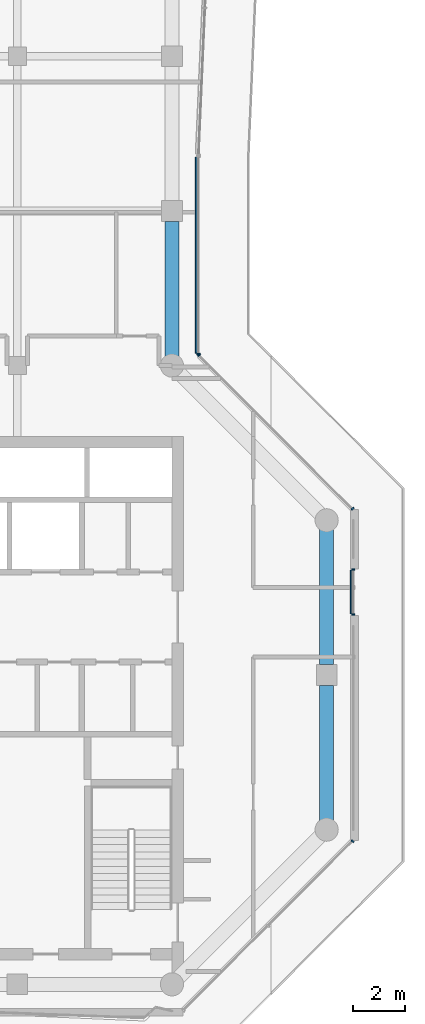
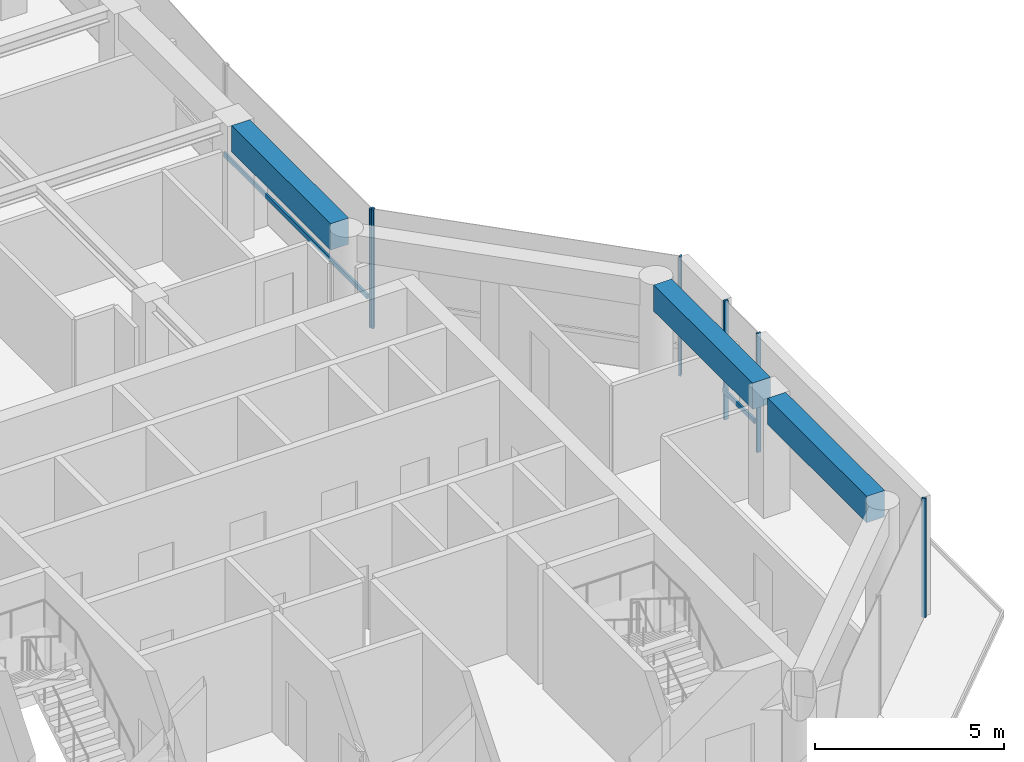
# One storey, part 6 of 20: 8 members, 3 beams, 4 elements without a shape of their own.
"""IFC4 building model written with IfcOpenShell, lengths in metres."""

import ifcopenshell
import ifcopenshell.guid

model = None  # the IFC model being written
_history = None  # IfcOwnerHistory: only IFC2X3 demands one
_inside = {}  # id of a spatial element -> (the spatial element, [elements in it])
_under = {}  # id of a project, library or spatial element -> (it, [spatial elements below it])
_declared = {}  # id of a project -> (the project, [libraries it declares])
_typed = {}  # id of a type object -> (the type object, [elements of that type])
_made_of = {}  # id of a material, layer set ... -> (it, [elements and type objects made of it])


def new_model(schema):
    """Start an empty IFC model of exactly this schema.

    Asked for "IFC4X3", IfcOpenShell would pick the latest addendum, in which some entities
    have other attributes; the version numbers below select the first issue.
    IFC2X3 requires an IfcOwnerHistory on every rooted entity: one is made here for all.
    """
    global model, _history
    if schema == "IFC4X3":
        model = ifcopenshell.file(schema_version=(4, 3, 0, 0))
    else:
        model = ifcopenshell.file(schema=schema)
    _inside.clear()
    _under.clear()
    _declared.clear()
    _typed.clear()
    _made_of.clear()
    _history = None
    if model.schema == "IFC2X3":
        org = make("IfcOrganization", Name="unknown")
        user = make(
            "IfcPersonAndOrganization",
            ThePerson=make("IfcPerson", FamilyName="unknown"),
            TheOrganization=org,
        )
        app = make(
            "IfcApplication",
            ApplicationDeveloper=org,
            Version="unknown",
            ApplicationFullName="unknown",
            ApplicationIdentifier="unknown",
        )
        _history = make(
            "IfcOwnerHistory",
            OwningUser=user,
            OwningApplication=app,
            ChangeAction="ADDED",
            CreationDate=0,
        )
    return model


def make(cls, **values):
    """One entity of the class cls with the attributes given. An attribute that is None is left unset."""
    return model.create_entity(
        cls, **{name: value for name, value in values.items() if value is not None}
    )


def rooted(cls, **values):
    """An entity with a GlobalId (a new one), such as an element, a storey or a relation."""
    return make(cls, GlobalId=ifcopenshell.guid.new(), OwnerHistory=_history, **values)


def si_unit(unit_type, name, prefix=None):
    """IfcSIUnit, for example si_unit("LENGTHUNIT", "METRE", prefix="MILLI")."""
    return make("IfcSIUnit", UnitType=unit_type, Prefix=prefix, Name=name)


def assignment(units):
    """IfcUnitAssignment: the units of a project."""
    return None if units is None else make("IfcUnitAssignment", Units=units)


def point(xyz):
    """IfcCartesianPoint."""
    return None if xyz is None else make("IfcCartesianPoint", Coordinates=xyz)


def direction(xyz):
    """IfcDirection."""
    return None if xyz is None else make("IfcDirection", DirectionRatios=xyz)


def frame(location, z_axis=None, x_axis=None):
    """IfcAxis2Placement3D, a coordinate frame: its origin and axes. An axis left out is left unset."""
    return make(
        "IfcAxis2Placement3D",
        Location=point(location),
        Axis=direction(z_axis),
        RefDirection=direction(x_axis),
    )


def frame_2d(location, x_axis=None):
    """IfcAxis2Placement2D, a coordinate frame in the plane: its origin and x axis."""
    return make(
        "IfcAxis2Placement2D", Location=point(location), RefDirection=direction(x_axis)
    )


def origin():
    """The frame at (0, 0, 0) with its axes left unset."""
    return frame((0.0, 0.0, 0.0))


def origin_2d():
    """The frame at (0, 0) in the plane with its x axis left unset."""
    return frame_2d((0.0, 0.0))


def place(relative_to, where):
    """IfcLocalPlacement: puts the frame where relative to a parent placement (None: the world)."""
    return make(
        "IfcLocalPlacement", PlacementRelTo=relative_to, RelativePlacement=where
    )


def context(
    kind, dimensions, precision=None, world=None, true_north=None, identifier=None
):
    """IfcGeometricRepresentationContext, for example the 3D "Model" context."""
    return make(
        "IfcGeometricRepresentationContext",
        ContextIdentifier=identifier,
        ContextType=kind,
        CoordinateSpaceDimension=dimensions,
        Precision=precision,
        WorldCoordinateSystem=world,
        TrueNorth=true_north,
    )


def subcontext(parent, identifier, kind, view, scale=None):
    """IfcGeometricRepresentationSubContext, for example "Body" below "Model"."""
    return make(
        "IfcGeometricRepresentationSubContext",
        ContextIdentifier=identifier,
        ContextType=kind,
        ParentContext=parent,
        TargetScale=scale,
        TargetView=view,
    )


def project(units=None, contexts=None):
    """IfcProject with its units and contexts."""
    return rooted(
        "IfcProject",
        Name="project",
        RepresentationContexts=contexts,
        UnitsInContext=assignment(units),
    )


def spatial(cls, under=None, at=None, **own):
    """A site, building, storey or space (cls), placed at a placement, below another one or the project."""
    s = rooted(cls, ObjectPlacement=at, **own)
    if under is not None:
        _under.setdefault(under.id(), (under, []))[1].append(s)
    return s


def profile(cls, at=None, kind="AREA", **sizes):
    """A parametric profile (cls). Its sizes go by their IFC names, for example OverallWidth=200.0."""
    return make(cls, ProfileType=kind, Position=at, **sizes)


def rectangle(**sizes):
    """IfcRectangleProfileDef."""
    return profile("IfcRectangleProfileDef", **sizes)


def extrude(swept, where, along, depth):
    """IfcExtrudedAreaSolid: the profile swept, set in the frame where, extruded along a direction by depth."""
    return make(
        "IfcExtrudedAreaSolid",
        SweptArea=swept,
        Position=where,
        ExtrudedDirection=direction(along),
        Depth=depth,
    )


def shape(context_of_items, identifier, shape_type, items):
    """IfcShapeRepresentation: the items that make up one representation, for example the "Body"."""
    return make(
        "IfcShapeRepresentation",
        ContextOfItems=context_of_items,
        RepresentationIdentifier=identifier,
        RepresentationType=shape_type,
        Items=items,
    )


def material(Name=None, Category=None):
    """IfcMaterial."""
    return make("IfcMaterial", Name=Name, Category=Category)


def layer(
    of_material, thickness, ventilated=None, Name=None, Category=None, Priority=None
):
    """IfcMaterialLayer: one layer of a wall or slab, of a material (None: an air gap)."""
    return make(
        "IfcMaterialLayer",
        Material=of_material,
        LayerThickness=thickness,
        IsVentilated=ventilated,
        Name=Name,
        Category=Category,
        Priority=Priority,
    )


def layer_set(layers, Name=None):
    """IfcMaterialLayerSet."""
    return make("IfcMaterialLayerSet", MaterialLayers=layers, LayerSetName=Name)


def material_profile(
    of_material, cross_section, Name=None, Category=None, Priority=None
):
    """IfcMaterialProfile: a cross section and its material."""
    return make(
        "IfcMaterialProfile",
        Name=Name,
        Material=of_material,
        Profile=cross_section,
        Priority=Priority,
        Category=Category,
    )


def profile_set(profiles, Name=None, composite=None):
    """IfcMaterialProfileSet."""
    return make(
        "IfcMaterialProfileSet",
        Name=Name,
        MaterialProfiles=profiles,
        CompositeProfile=composite,
    )


def made_of(thing, what):
    """Note that an element or type object is made of a material, layer set ...; save() writes the relation."""
    if what is not None:
        _made_of.setdefault(what.id(), (what, []))[1].append(thing)
    return thing


def type_object(cls, material=None, **own):
    """A type object (cls), such as IfcWallType, which elements share."""
    return made_of(rooted(cls, **own), material)


def element(
    cls,
    number,
    at=None,
    inside=None,
    cuts=None,
    type_object=None,
    material=None,
    context=None,
    identifier="Body",
    shape_type=None,
    held_by="IfcProductDefinitionShape",
    body=None,
    shapes=None,
    **own,
):
    """One element of the class cls, such as IfcWall. Its Tag is "e" and its number.

    at: its placement. inside: the storey or other place that contains it. cuts: it is an
    opening in that element (IfcRelVoidsElement). A single representation is given by context,
    identifier, shape_type and body (its items); several are given by shapes. held_by: the class
    of the entity that holds the representations. save() writes the other relations.
    """
    e = rooted(cls, Tag="e%d" % number, ObjectPlacement=at, **own)
    if body is not None:
        shapes = [shape(context, identifier, shape_type, body)]
    if shapes is not None:
        e.Representation = make(held_by, Representations=shapes)
    if inside is not None:
        _inside.setdefault(inside.id(), (inside, []))[1].append(e)
    if cuts is not None:
        rooted(
            "IfcRelVoidsElement", RelatingBuildingElement=cuts, RelatedOpeningElement=e
        )
    if type_object is not None:
        _typed.setdefault(type_object.id(), (type_object, []))[1].append(e)
    return made_of(e, material)


def aggregate(whole, parts):
    """IfcRelAggregates: a whole, such as a stair, and the parts it consists of."""
    return rooted("IfcRelAggregates", RelatingObject=whole, RelatedObjects=parts)


def save(model, path):
    """Write the relations noted so far, then the file.

    IfcRelAggregates (storeys below a building ...), IfcRelContainedInSpatialStructure (elements
    in a storey), IfcRelDefinesByType, IfcRelAssociatesMaterial and IfcRelDeclares: one each for
    every whole, place, type object, material and project.
    """
    for whole, parts in _under.values():
        aggregate(whole, parts)
    for where, things in _inside.values():
        rooted(
            "IfcRelContainedInSpatialStructure",
            RelatedElements=things,
            RelatingStructure=where,
        )
    for kind, things in _typed.values():
        rooted("IfcRelDefinesByType", RelatedObjects=things, RelatingType=kind)
    for what, things in _made_of.values():
        rooted("IfcRelAssociatesMaterial", RelatedObjects=things, RelatingMaterial=what)
    for by, libraries in _declared.values():
        rooted("IfcRelDeclares", RelatingContext=by, RelatedDefinitions=libraries)
    model.write(path)


model = new_model("IFC4")

# Units and contexts
model_context = context("Model", 3, precision=1e-05, world=origin(), true_north=direction((0.0, 1.0)))
body_context = subcontext(model_context, "Body", "Model", "MODEL_VIEW")
ifc_project = project(units=[si_unit("LENGTHUNIT", "METRE"), si_unit("AREAUNIT", "SQUARE_METRE"), si_unit("VOLUMEUNIT", "CUBIC_METRE"), si_unit("PLANEANGLEUNIT", "RADIAN"), si_unit("MASSUNIT", "GRAM", prefix="KILO")], contexts=[model_context])

# Site, building, storey
site_placement = place(None, origin())
site = spatial("IfcSite", under=ifc_project, at=site_placement, CompositionType="ELEMENT")
building_placement = place(site_placement, origin())
building = spatial("IfcBuilding", under=site, at=building_placement, Name="Welwitschia Terrace Campus", CompositionType="ELEMENT")
storey_placement = place(building_placement, frame((0.0, 0.0, 239.0)))
storey = spatial("IfcBuildingStorey", under=building, at=storey_placement, Name="L53", CompositionType="ELEMENT", Elevation=239.0)

# Curtain wall, member
ifc_material_1 = material(Name="Bronze anodised aluminium", Category="aluminium")
ifc_layer = layer(ifc_material_1, 0.1201171875)
ifc_layer_set = layer_set([ifc_layer], Name="Bronze anodised aluminium")
curtain_wall_type = type_object("IfcCurtainWallType", Name="Curtain wall CW2 tower 6000", PredefinedType="NOTDEFINED", material=ifc_layer_set)
curtain_wall_1_placement = place(storey_placement, origin())
curtain_wall_1 = element("IfcCurtainWall", 1, at=curtain_wall_1_placement, inside=storey, type_object=curtain_wall_type, Name="CW L53.3.0", PredefinedType="NOTDEFINED")
ifc_material_2 = material(Name="Bronze anodised aluminium", Category="aluminium")
ifc_material_profile_1 = material_profile(ifc_material_2, rectangle(XDim=0.1201171875, YDim=0.06005859375, at=origin_2d()))
ifc_profile_set_1 = profile_set([ifc_material_profile_1], Name="Bronze anodised aluminium")
member_type_1 = type_object("IfcMemberType", Name="Mullion 60x120", PredefinedType="MULLION", material=ifc_profile_set_1)
member_1_placement = place(storey_placement, frame((31.0087890625, 9.55224609375, 0.0), z_axis=(0.0, 0.0, 1.0), x_axis=(-0.707106781187, 0.707106781187, 0.0)))
member_1 = element("IfcMember", 2, at=member_1_placement, type_object=member_type_1, Name="Mullion L53.3.0.2", PredefinedType="MULLION", context=body_context, shape_type="SweptSolid", body=[
    extrude(rectangle(XDim=0.1201171875, YDim=0.06005859375, at=origin_2d()), origin(), (0.0, 0.0, 1.0), 3.85009765625),
])
aggregate(curtain_wall_1, [member_1])

# Curtain wall, members
curtain_wall_2_placement = place(storey_placement, origin())
curtain_wall_2 = element("IfcCurtainWall", 3, at=curtain_wall_2_placement, inside=storey, type_object=curtain_wall_type, Name="CW L53.4.S0", PredefinedType="NOTDEFINED")
member_2_placement = place(storey_placement, frame((31.030029296875, 18.34326171875, 0.0), z_axis=(0.0, 0.0, 1.0), x_axis=(-1.0, 0.0, 0.0)))
member_2 = element("IfcMember", 4, at=member_2_placement, type_object=member_type_1, Name="Mullion L53.4.S0.0", PredefinedType="MULLION", context=body_context, shape_type="SweptSolid", body=[
    extrude(rectangle(XDim=0.1201171875, YDim=0.06005859375, at=origin_2d()), origin(), (0.0, 0.0, 1.0), 3.85009765625),
])
member_3_placement = place(storey_placement, frame((31.030029296875, 20.083251953125, 0.0), z_axis=(0.0, 0.0, 1.0), x_axis=(-1.0, 0.0, 0.0)))
member_3 = element("IfcMember", 5, at=member_3_placement, type_object=member_type_1, Name="Mullion L53.4.S0.1", PredefinedType="MULLION", context=body_context, shape_type="SweptSolid", body=[
    extrude(rectangle(XDim=0.1201171875, YDim=0.06005859375, at=origin_2d()), origin(), (0.0, 0.0, 1.0), 3.85009765625),
])

curtain_wall_3_placement = place(storey_placement, origin())
curtain_wall_3 = element("IfcCurtainWall", 6, at=curtain_wall_3_placement, inside=storey, type_object=curtain_wall_type, Name="CW L53.5.0", PredefinedType="NOTDEFINED")
member_4_placement = place(storey_placement, frame((31.0087890625, 22.44775390625, 0.0), z_axis=(0.0, 0.0, 1.0), x_axis=(-0.707106781187, -0.707106781187, 0.0)))
member_4 = element("IfcMember", 7, at=member_4_placement, type_object=member_type_1, Name="Mullion L53.5.0.0", PredefinedType="MULLION", context=body_context, shape_type="SweptSolid", body=[
    extrude(rectangle(XDim=0.1201171875, YDim=0.06005859375, at=origin_2d()), origin(), (0.0, 0.0, 1.0), 3.85009765625),
])
member_5_placement = place(storey_placement, frame((25.05126953125, 28.405517578125, 0.0), z_axis=(0.0, 0.0, 1.0), x_axis=(-0.707106781187, -0.707106781187, 0.0)))
member_5 = element("IfcMember", 8, at=member_5_placement, type_object=member_type_1, Name="Mullion L53.5.0.1", PredefinedType="MULLION", context=body_context, shape_type="SweptSolid", body=[
    extrude(rectangle(XDim=0.1201171875, YDim=0.06005859375, at=origin_2d()), origin(), (0.0, 0.0, 1.0), 3.85009765625),
])
aggregate(curtain_wall_3, [member_4, member_5])

# Curtain wall, member
curtain_wall_4_placement = place(storey_placement, origin())
curtain_wall_4 = element("IfcCurtainWall", 9, at=curtain_wall_4_placement, inside=storey, type_object=curtain_wall_type, Name="CW L53.6.0", PredefinedType="NOTDEFINED")
member_6_placement = place(storey_placement, frame((25.030029296875, 28.45654296875, 0.0), z_axis=(0.0, 0.0, 1.0), x_axis=(-1.0, 0.0, 0.0)))
member_6 = element("IfcMember", 10, at=member_6_placement, type_object=member_type_1, Name="Mullion L53.6.0.0", PredefinedType="MULLION", context=body_context, shape_type="SweptSolid", body=[
    extrude(rectangle(XDim=0.1201171875, YDim=0.06005859375, at=origin_2d()), origin(), (0.0, 0.0, 1.0), 3.85009765625),
])

# Beams
ifc_material_3 = material(Name="Concrete C50/60", Category="concrete")
ifc_material_profile_2 = material_profile(ifc_material_3, rectangle(XDim=0.550048828125, YDim=0.85009765625, at=origin_2d()))
ifc_profile_set_2 = profile_set([ifc_material_profile_2], Name="Concrete C50/60")
beam_type = type_object("IfcBeamType", Name="Ring spandrel 550x850", PredefinedType="SPANDREL", material=ifc_profile_set_2)
for number, where, z_axis, x_axis, name in (
    (11, (30.0, 10.35693359375, 3.425048828125), (0.0, 1.0, 0.0), (-1.0, 0.0, 0.0), "Spandrel SP3"),
    (12, (30.0, 16.400390625, 3.425048828125), (0.0, 1.0, 0.0), (-1.0, 0.0, 0.0), "Spandrel SP3"),
    (13, (24.0, 28.35693359375, 3.425048828125), (0.0, 1.0, 0.0), (-1.0, 0.0, 0.0), "Spandrel SP3"),
):
    element("IfcBeam", number, at=place(storey_placement, frame(where, z_axis=z_axis, x_axis=x_axis)), inside=storey, type_object=beam_type, Name=name, PredefinedType="SPANDREL", context=body_context, shape_type="SweptSolid", body=[
        extrude(rectangle(XDim=0.550048828125, YDim=0.85009765625, at=origin_2d()), origin(), (0.0, 0.0, 1.0), 5.24267578125),
    ])

# Member
ifc_material_4 = material(Name="Bronze anodised aluminium", Category="aluminium")
ifc_material_profile_3 = material_profile(ifc_material_4, rectangle(XDim=0.06005859375, YDim=0.14990234375, at=origin_2d()))
ifc_profile_set_3 = profile_set([ifc_material_profile_3], Name="Bronze anodised aluminium")
member_type_2 = type_object("IfcMemberType", Name="Transom 60x150", PredefinedType="USERDEFINED", material=ifc_profile_set_3)
member_7_placement = place(storey_placement, frame((30.93994140625, 18.373291015625, 1.0), z_axis=(0.0, 1.0, 0.0), x_axis=(-1.0, 0.0, 0.0)))
member_7 = element("IfcMember", 14, at=member_7_placement, type_object=member_type_2, Name="Transom L53.4.S0", ObjectType="TRANSOM", PredefinedType="USERDEFINED", context=body_context, shape_type="SweptSolid", body=[
    extrude(rectangle(XDim=0.06005859375, YDim=0.14990234375, at=origin_2d()), origin(), (0.0, 0.0, 1.0), 1.679931640625),
])

aggregate(curtain_wall_2, [member_2, member_3, member_7])

member_8_placement = place(storey_placement, frame((24.93994140625, 28.486572265625, 1.0), z_axis=(0.0, 1.0, 0.0), x_axis=(-1.0, 0.0, 0.0)))
member_8 = element("IfcMember", 15, at=member_8_placement, type_object=member_type_2, Name="Transom L53.6.0", ObjectType="TRANSOM", PredefinedType="USERDEFINED", context=body_context, shape_type="SweptSolid", body=[
    extrude(rectangle(XDim=0.06005859375, YDim=0.14990234375, at=origin_2d()), origin(), (0.0, 0.0, 1.0), 7.600341796875),
])

aggregate(curtain_wall_4, [member_6, member_8])

save(model, "model.ifc")
